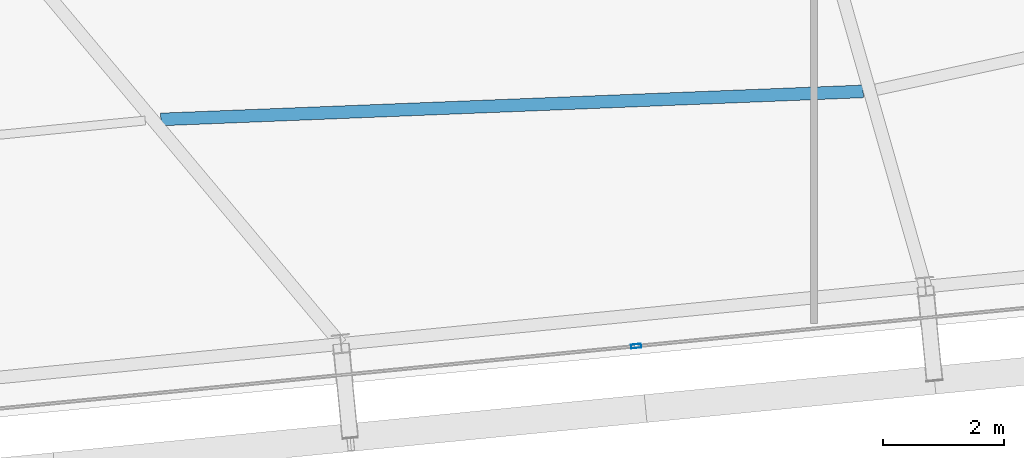
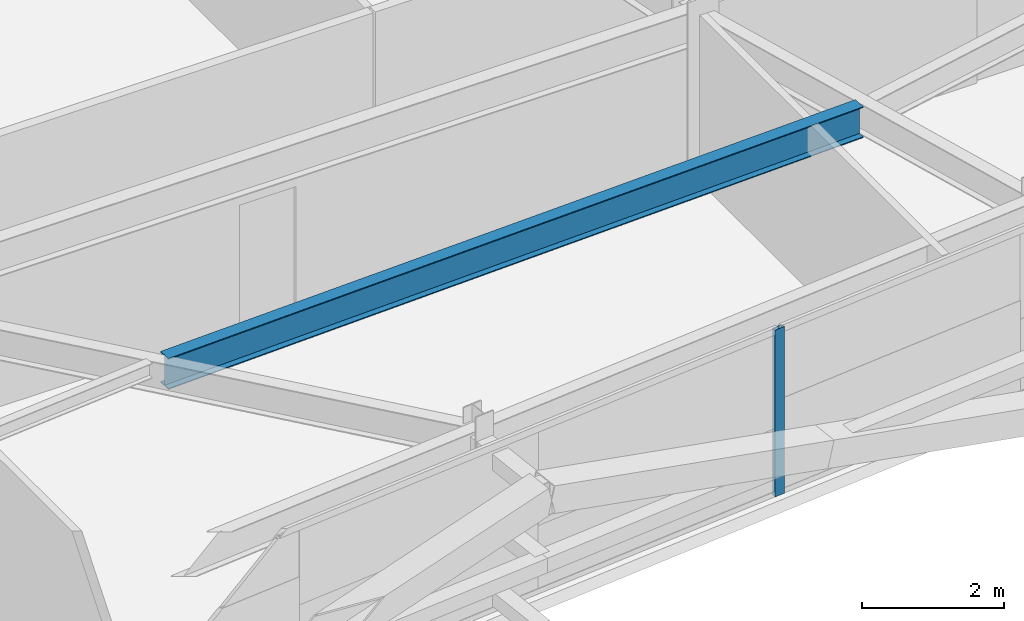
# One storey, part 11 of 47: 1 beam, 1 member, 1 element without a shape of its own.
"""IFC4 building model written with IfcOpenShell, lengths in metres."""

from ifc_helpers import new_model, si_unit, direction, frame, origin, origin_2d, place, context, subcontext, project, spatial, hollow_rectangle, i_section, extrude, source, transform, mapped, material, layer, layer_set, material_profile, profile_set, type_object, element, aggregate, save


model = new_model("IFC4")

# Units and contexts
model_context = context("Model", 3, precision=1e-05, world=origin(), true_north=direction((0.0, 1.0)))
body_context = subcontext(model_context, "Body", "Model", "MODEL_VIEW")
ifc_project = project(units=[si_unit("LENGTHUNIT", "METRE"), si_unit("AREAUNIT", "SQUARE_METRE"), si_unit("VOLUMEUNIT", "CUBIC_METRE"), si_unit("PLANEANGLEUNIT", "RADIAN"), si_unit("MASSUNIT", "GRAM", prefix="KILO")], contexts=[model_context])

# Site, building, storey
site_placement = place(None, origin())
site = spatial("IfcSite", under=ifc_project, at=site_placement, CompositionType="ELEMENT")
building_placement = place(site_placement, origin())
building = spatial("IfcBuilding", under=site, at=building_placement, Name="Taldren Reach Tower", CompositionType="ELEMENT")
storey_placement = place(building_placement, frame((0.0, 0.0, 109.199951171875)))
storey = spatial("IfcBuildingStorey", under=building, at=storey_placement, Name="L33", CompositionType="ELEMENT", Elevation=109.199951171875)

# Beam
ifc_material_1 = material(Name="Steel Gr 350 (350PLUS)", Category="steel")
ifc_material_profile_1 = material_profile(ifc_material_1, i_section(OverallWidth=0.208984375, OverallDepth=0.532958984375, WebThickness=0.01025390625, FlangeThickness=0.015625, at=origin_2d()), Name="530UB92.4")
ifc_profile_set_1 = profile_set([ifc_material_profile_1], Name="Steel Gr 350 (350PLUS)")
beam_type = type_object("IfcBeamType", Name="BM-UB530A", PredefinedType="BEAM", material=ifc_profile_set_1)
shared_shape_1 = source(origin(), body_context, "Body", "SweptSolid", [
    extrude(i_section(OverallWidth=0.208984375, OverallDepth=0.532958984375, WebThickness=0.01025390625, FlangeThickness=0.015625, at=origin_2d()), origin(), (0.0, 0.0, 1.0), 11.586669921875),
])
beam_placement = place(storey_placement, frame((31.23291015625, 5.510009765625, 2.603515625), z_axis=(0.999202506312, 0.039929329821, 0.0), x_axis=(-0.039929329821, 0.999202506312, 0.0)))
element("IfcBeam", 1, at=beam_placement, inside=storey, type_object=beam_type, Name="Secondary floor beam B2 J3 L33", PredefinedType="BEAM", context=body_context, shape_type="MappedRepresentation", body=[
    mapped(shared_shape_1, transform((0.0, 0.0, 0.0), scale=1.0)),
])

# Curtain wall, member
ifc_material_2 = material(Name="Aluminium and Low-E Glass Unitised System", Category="aluminium")
ifc_layer = layer(ifc_material_2, 0.159912109375)
ifc_layer_set = layer_set([ifc_layer], Name="Aluminium and Low-E Glass Unitised System")
curtain_wall_type = type_object("IfcCurtainWallType", Name="CW-SYS-3", PredefinedType="NOTDEFINED", material=ifc_layer_set)
curtain_wall_placement = place(storey_placement, origin())
curtain_wall = element("IfcCurtainWall", 2, at=curtain_wall_placement, inside=storey, type_object=curtain_wall_type, Name="Unitised curtain wall CW-L33-S", PredefinedType="NOTDEFINED")
ifc_material_3 = material(Name="Anodised Aluminium 6063-T6", Category="aluminium")
ifc_material_profile_2 = material_profile(ifc_material_3, hollow_rectangle(XDim=0.06494140625, YDim=0.1650390625, WallThickness=0.00390625, at=origin_2d()), Name="ALU-165x65x4RHS")
ifc_profile_set_2 = profile_set([ifc_material_profile_2], Name="Anodised Aluminium 6063-T6")
member_type = type_object("IfcMemberType", Name="CW-MUL-165", PredefinedType="MULLION", material=ifc_profile_set_2)
shared_shape_2 = source(origin(), body_context, "Body", "SweptSolid", [
    extrude(hollow_rectangle(XDim=0.06494140625, YDim=0.1650390625, WallThickness=0.00390625, at=origin_2d()), origin(), (0.0, 0.0, 1.0), 2.8701171875),
])
member_placement = place(storey_placement, frame((39.068359375, 1.77392578125, 0.0), z_axis=(0.0, 0.0, 1.0), x_axis=(-0.097582999046, 0.995227390247, 0.0)))
member = element("IfcMember", 3, at=member_placement, type_object=member_type, Name="CW-3 mullion 3", PredefinedType="MULLION", context=body_context, shape_type="MappedRepresentation", body=[
    mapped(shared_shape_2, transform((0.0, 0.0, 0.0), scale=1.0)),
])
aggregate(curtain_wall, [member])

save(model, "model.ifc")
